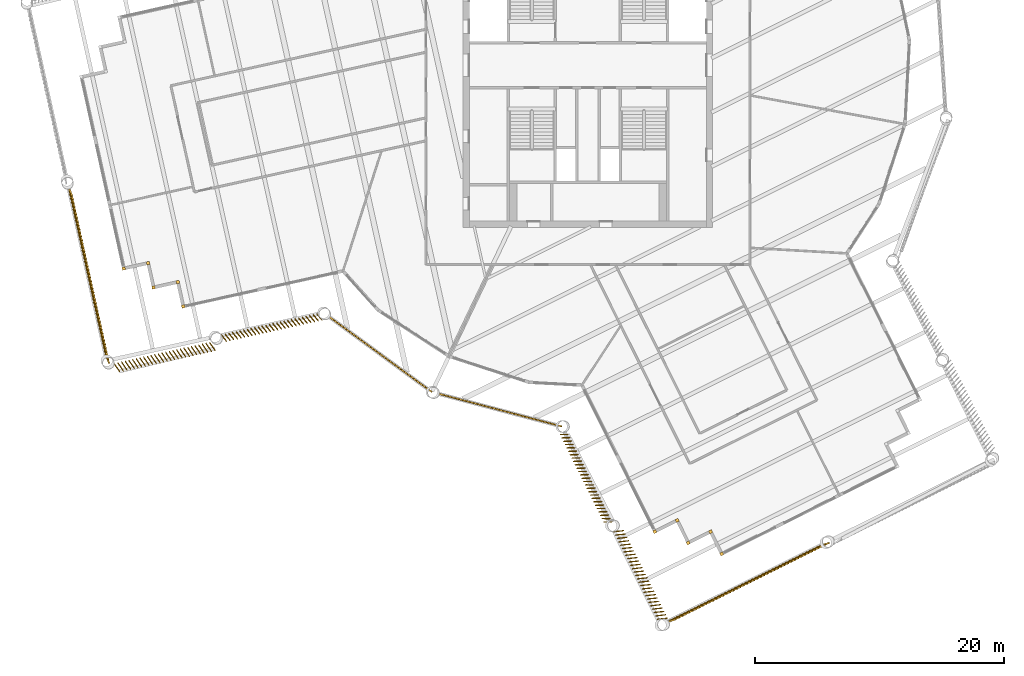
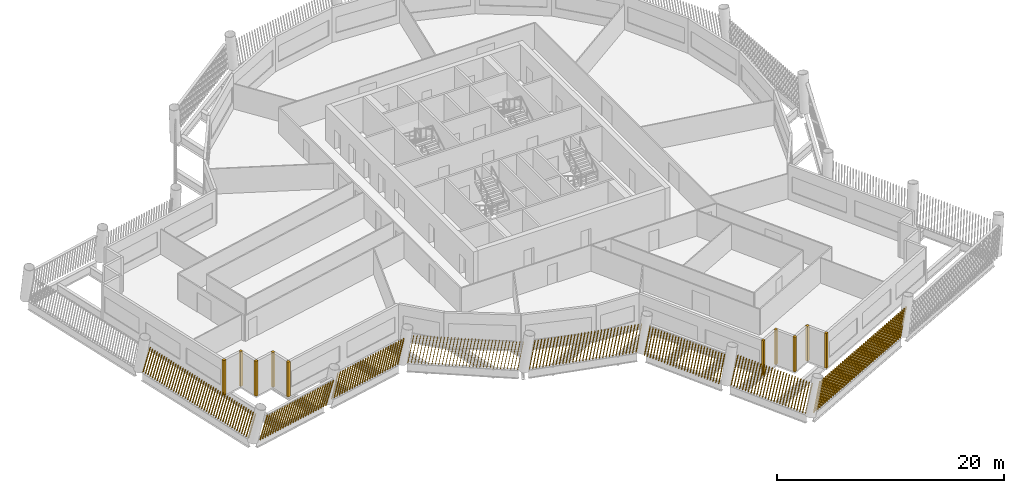
# One storey, part 10 of 14: 18 shading devices.
"""IFC4 building model written with IfcOpenShell, lengths in metres."""

from ifc_helpers import new_model, si_unit, direction, frame, frame_2d, origin, origin_2d, place, context, subcontext, project, spatial, rectangle, composite_profile, extrude, material, type_object, element, save


model = new_model("IFC4")

# Units and contexts
model_context = context("Model", 3, precision=1e-05, world=origin(), true_north=direction((0.0, 1.0)))
body_context = subcontext(model_context, "Body", "Model", "MODEL_VIEW")
ifc_project = project(units=[si_unit("LENGTHUNIT", "METRE"), si_unit("AREAUNIT", "SQUARE_METRE"), si_unit("VOLUMEUNIT", "CUBIC_METRE"), si_unit("PLANEANGLEUNIT", "RADIAN"), si_unit("MASSUNIT", "GRAM", prefix="KILO")], contexts=[model_context])

# Site, building, storey
site_placement = place(None, origin())
site = spatial("IfcSite", under=ifc_project, at=site_placement, CompositionType="ELEMENT")
building_placement = place(site_placement, origin())
building = spatial("IfcBuilding", under=site, at=building_placement, Name="Tarsis Ring Headquarters", CompositionType="ELEMENT")
storey_placement = place(building_placement, frame((0.0, 0.0, 335.300048828125)))
storey = spatial("IfcBuildingStorey", under=building, at=storey_placement, Name="L79", CompositionType="ELEMENT", Elevation=335.300048828125)

# Shading devices
ifc_material = material(Name="Terracotta baguette", Category="masonry")
shading_device_type_1 = type_object("IfcShadingDeviceType", Name="Terracotta baguette screen", PredefinedType="USERDEFINED", material=ifc_material)
shading_device_1_placement = place(storey_placement, frame((-12.031494140625, -26.342529296875, 0.0), z_axis=(0.0, 0.0, 1.0), x_axis=(0.966670830731, -0.256014990631, 0.0)))
element("IfcShadingDevice", 1, at=shading_device_1_placement, inside=storey, type_object=shading_device_type_1, Name="Baguette screen L79-00", ObjectType="Terracotta baguette screen", PredefinedType="USERDEFINED", context=body_context, shape_type="SweptSolid", body=[
    extrude(composite_profile([rectangle(XDim=0.06005859375, YDim=0.1201171875, at=frame_2d((0.030029296875, 0.0))), rectangle(XDim=0.06005859375, YDim=0.1201171875, at=frame_2d((0.33349609375, 0.0))), rectangle(XDim=0.06005859375, YDim=0.1201171875, at=frame_2d((0.636962890625, 0.0))), rectangle(XDim=0.06005859375, YDim=0.1201171875, at=frame_2d((0.9404296875, 0.0))), rectangle(XDim=0.06005859375, YDim=0.1201171875, at=frame_2d((1.243896484375, 0.0))), rectangle(XDim=0.06005859375, YDim=0.1201171875, at=frame_2d((1.54736328125, 0.0))), rectangle(XDim=0.06005859375, YDim=0.1201171875, at=frame_2d((1.85107421875, 0.0))), rectangle(XDim=0.06005859375, YDim=0.1201171875, at=frame_2d((2.154541015625, 0.0))), rectangle(XDim=0.06005859375, YDim=0.1201171875, at=frame_2d((2.4580078125, 0.0))), rectangle(XDim=0.06005859375, YDim=0.1201171875, at=frame_2d((2.761474609375, 0.0))), rectangle(XDim=0.06005859375, YDim=0.1201171875, at=frame_2d((3.06494140625, 0.0))), rectangle(XDim=0.06005859375, YDim=0.1201171875, at=frame_2d((3.368408203125, 0.0))), rectangle(XDim=0.06005859375, YDim=0.1201171875, at=frame_2d((3.671875, 0.0))), rectangle(XDim=0.06005859375, YDim=0.1201171875, at=frame_2d((3.975341796875, 0.0))), rectangle(XDim=0.06005859375, YDim=0.1201171875, at=frame_2d((4.27880859375, 0.0))), rectangle(XDim=0.06005859375, YDim=0.1201171875, at=frame_2d((4.582275390625, 0.0))), rectangle(XDim=0.06005859375, YDim=0.1201171875, at=frame_2d((4.8857421875, 0.0))), rectangle(XDim=0.06005859375, YDim=0.1201171875, at=frame_2d((5.189453125, 0.0))), rectangle(XDim=0.06005859375, YDim=0.1201171875, at=frame_2d((5.492919921875, 0.0))), rectangle(XDim=0.06005859375, YDim=0.1201171875, at=frame_2d((5.79638671875, 0.0))), rectangle(XDim=0.06005859375, YDim=0.1201171875, at=frame_2d((6.099853515625, 0.0))), rectangle(XDim=0.06005859375, YDim=0.1201171875, at=frame_2d((6.4033203125, 0.0))), rectangle(XDim=0.06005859375, YDim=0.1201171875, at=frame_2d((6.706787109375, 0.0))), rectangle(XDim=0.06005859375, YDim=0.1201171875, at=frame_2d((7.01025390625, 0.0))), rectangle(XDim=0.06005859375, YDim=0.1201171875, at=frame_2d((7.313720703125, 0.0))), rectangle(XDim=0.06005859375, YDim=0.1201171875, at=frame_2d((7.6171875, 0.0))), rectangle(XDim=0.06005859375, YDim=0.1201171875, at=frame_2d((7.920654296875, 0.0))), rectangle(XDim=0.06005859375, YDim=0.1201171875, at=frame_2d((8.224365234375, 0.0))), rectangle(XDim=0.06005859375, YDim=0.1201171875, at=frame_2d((8.52783203125, 0.0))), rectangle(XDim=0.06005859375, YDim=0.1201171875, at=frame_2d((8.831298828125, 0.0))), rectangle(XDim=0.06005859375, YDim=0.1201171875, at=frame_2d((9.134765625, 0.0))), rectangle(XDim=0.06005859375, YDim=0.1201171875, at=frame_2d((9.438232421875, 0.0))), rectangle(XDim=0.06005859375, YDim=0.1201171875, at=frame_2d((9.74169921875, 0.0)))]), origin(), (0.171974239166, 0.001556835752, 0.985100216895), 3.0126953125),
])
shading_device_2_placement = place(storey_placement, frame((-2.21484375, -29.587158203125, 0.0), z_axis=(0.0, 0.0, 1.0), x_axis=(0.445872466634, -0.895081562037, 0.0)))
element("IfcShadingDevice", 2, at=shading_device_2_placement, inside=storey, type_object=shading_device_type_1, Name="Baguette screen L79-01", ObjectType="Terracotta baguette screen", PredefinedType="USERDEFINED", context=body_context, shape_type="SweptSolid", body=[
    extrude(composite_profile([rectangle(XDim=0.06005859375, YDim=0.1201171875, at=frame_2d((0.030029296875, 0.0))), rectangle(XDim=0.06005859375, YDim=0.1201171875, at=frame_2d((0.33154296875, 0.0))), rectangle(XDim=0.06005859375, YDim=0.1201171875, at=frame_2d((0.63330078125, 0.0))), rectangle(XDim=0.06005859375, YDim=0.1201171875, at=frame_2d((0.934814453125, 0.0))), rectangle(XDim=0.06005859375, YDim=0.1201171875, at=frame_2d((1.236572265625, 0.0))), rectangle(XDim=0.06005859375, YDim=0.1201171875, at=frame_2d((1.5380859375, 0.0))), rectangle(XDim=0.06005859375, YDim=0.1201171875, at=frame_2d((1.83984375, 0.0))), rectangle(XDim=0.06005859375, YDim=0.1201171875, at=frame_2d((2.141357421875, 0.0))), rectangle(XDim=0.06005859375, YDim=0.1201171875, at=frame_2d((2.443115234375, 0.0))), rectangle(XDim=0.06005859375, YDim=0.1201171875, at=frame_2d((2.74462890625, 0.0))), rectangle(XDim=0.06005859375, YDim=0.1201171875, at=frame_2d((3.04638671875, 0.0))), rectangle(XDim=0.06005859375, YDim=0.1201171875, at=frame_2d((3.347900390625, 0.0))), rectangle(XDim=0.06005859375, YDim=0.1201171875, at=frame_2d((3.649658203125, 0.0))), rectangle(XDim=0.06005859375, YDim=0.1201171875, at=frame_2d((3.951171875, 0.0))), rectangle(XDim=0.06005859375, YDim=0.1201171875, at=frame_2d((4.252685546875, 0.0))), rectangle(XDim=0.06005859375, YDim=0.1201171875, at=frame_2d((4.554443359375, 0.0))), rectangle(XDim=0.06005859375, YDim=0.1201171875, at=frame_2d((4.85595703125, 0.0))), rectangle(XDim=0.06005859375, YDim=0.1201171875, at=frame_2d((5.15771484375, 0.0))), rectangle(XDim=0.06005859375, YDim=0.1201171875, at=frame_2d((5.459228515625, 0.0))), rectangle(XDim=0.06005859375, YDim=0.1201171875, at=frame_2d((5.760986328125, 0.0))), rectangle(XDim=0.06005859375, YDim=0.1201171875, at=frame_2d((6.0625, 0.0))), rectangle(XDim=0.06005859375, YDim=0.1201171875, at=frame_2d((6.3642578125, 0.0))), rectangle(XDim=0.06005859375, YDim=0.1201171875, at=frame_2d((6.665771484375, 0.0))), rectangle(XDim=0.06005859375, YDim=0.1201171875, at=frame_2d((6.967529296875, 0.0))), rectangle(XDim=0.06005859375, YDim=0.1201171875, at=frame_2d((7.26904296875, 0.0))), rectangle(XDim=0.06005859375, YDim=0.1201171875, at=frame_2d((7.57080078125, 0.0))), rectangle(XDim=0.06005859375, YDim=0.1201171875, at=frame_2d((7.872314453125, 0.0)))]), origin(), (0.089355361156, 0.17732854872, 0.980086835562), 3.028076171875),
])
shading_device_3_placement = place(storey_placement, frame((2.090087890625, -37.38818359375, 0.0), z_axis=(0.0, 0.0, 1.0), x_axis=(0.445872466634, -0.895081562037, 0.0)))
element("IfcShadingDevice", 3, at=shading_device_3_placement, inside=storey, type_object=shading_device_type_1, Name="Baguette screen L79-02", ObjectType="Terracotta baguette screen", PredefinedType="USERDEFINED", context=body_context, shape_type="SweptSolid", body=[
    extrude(composite_profile([rectangle(XDim=0.06005859375, YDim=0.1201171875, at=frame_2d((0.030029296875, 0.0))), rectangle(XDim=0.06005859375, YDim=0.1201171875, at=frame_2d((0.33154296875, 0.0))), rectangle(XDim=0.06005859375, YDim=0.1201171875, at=frame_2d((0.63330078125, 0.0))), rectangle(XDim=0.06005859375, YDim=0.1201171875, at=frame_2d((0.934814453125, 0.0))), rectangle(XDim=0.06005859375, YDim=0.1201171875, at=frame_2d((1.236572265625, 0.0))), rectangle(XDim=0.06005859375, YDim=0.1201171875, at=frame_2d((1.5380859375, 0.0))), rectangle(XDim=0.06005859375, YDim=0.1201171875, at=frame_2d((1.83984375, 0.0))), rectangle(XDim=0.06005859375, YDim=0.1201171875, at=frame_2d((2.141357421875, 0.0))), rectangle(XDim=0.06005859375, YDim=0.1201171875, at=frame_2d((2.443115234375, 0.0))), rectangle(XDim=0.06005859375, YDim=0.1201171875, at=frame_2d((2.74462890625, 0.0))), rectangle(XDim=0.06005859375, YDim=0.1201171875, at=frame_2d((3.04638671875, 0.0))), rectangle(XDim=0.06005859375, YDim=0.1201171875, at=frame_2d((3.347900390625, 0.0))), rectangle(XDim=0.06005859375, YDim=0.1201171875, at=frame_2d((3.649658203125, 0.0))), rectangle(XDim=0.06005859375, YDim=0.1201171875, at=frame_2d((3.951171875, 0.0))), rectangle(XDim=0.06005859375, YDim=0.1201171875, at=frame_2d((4.252685546875, 0.0))), rectangle(XDim=0.06005859375, YDim=0.1201171875, at=frame_2d((4.554443359375, 0.0))), rectangle(XDim=0.06005859375, YDim=0.1201171875, at=frame_2d((4.85595703125, 0.0))), rectangle(XDim=0.06005859375, YDim=0.1201171875, at=frame_2d((5.15771484375, 0.0))), rectangle(XDim=0.06005859375, YDim=0.1201171875, at=frame_2d((5.459228515625, 0.0))), rectangle(XDim=0.06005859375, YDim=0.1201171875, at=frame_2d((5.760986328125, 0.0))), rectangle(XDim=0.06005859375, YDim=0.1201171875, at=frame_2d((6.0625, 0.0))), rectangle(XDim=0.06005859375, YDim=0.1201171875, at=frame_2d((6.3642578125, 0.0))), rectangle(XDim=0.06005859375, YDim=0.1201171875, at=frame_2d((6.665771484375, 0.0))), rectangle(XDim=0.06005859375, YDim=0.1201171875, at=frame_2d((6.967529296875, 0.0))), rectangle(XDim=0.06005859375, YDim=0.1201171875, at=frame_2d((7.26904296875, 0.0))), rectangle(XDim=0.06005859375, YDim=0.1201171875, at=frame_2d((7.57080078125, 0.0))), rectangle(XDim=0.06005859375, YDim=0.1201171875, at=frame_2d((7.872314453125, 0.0)))]), origin(), (0.085715732696, 0.228251862761, 0.969821581692), 3.06005859375),
])
shading_device_4_placement = place(storey_placement, frame((6.2841796875, -44.68603515625, 0.0), z_axis=(0.0, 0.0, 1.0), x_axis=(0.895088811832, 0.445899087113, 0.0)))
element("IfcShadingDevice", 4, at=shading_device_4_placement, inside=storey, type_object=shading_device_type_1, Name="Baguette screen L79-03", ObjectType="Terracotta baguette screen", PredefinedType="USERDEFINED", context=body_context, shape_type="SweptSolid", body=[
    extrude(composite_profile([rectangle(XDim=0.06005859375, YDim=0.1201171875, at=frame_2d((0.030029296875, 0.0))), rectangle(XDim=0.06005859375, YDim=0.1201171875, at=frame_2d((0.33544921875, 0.0))), rectangle(XDim=0.06005859375, YDim=0.1201171875, at=frame_2d((0.640625, 0.0))), rectangle(XDim=0.06005859375, YDim=0.1201171875, at=frame_2d((0.946044921875, 0.0))), rectangle(XDim=0.06005859375, YDim=0.1201171875, at=frame_2d((1.25146484375, 0.0))), rectangle(XDim=0.06005859375, YDim=0.1201171875, at=frame_2d((1.556640625, 0.0))), rectangle(XDim=0.06005859375, YDim=0.1201171875, at=frame_2d((1.862060546875, 0.0))), rectangle(XDim=0.06005859375, YDim=0.1201171875, at=frame_2d((2.16748046875, 0.0))), rectangle(XDim=0.06005859375, YDim=0.1201171875, at=frame_2d((2.47265625, 0.0))), rectangle(XDim=0.06005859375, YDim=0.1201171875, at=frame_2d((2.778076171875, 0.0))), rectangle(XDim=0.06005859375, YDim=0.1201171875, at=frame_2d((3.08349609375, 0.0))), rectangle(XDim=0.06005859375, YDim=0.1201171875, at=frame_2d((3.388671875, 0.0))), rectangle(XDim=0.06005859375, YDim=0.1201171875, at=frame_2d((3.694091796875, 0.0))), rectangle(XDim=0.06005859375, YDim=0.1201171875, at=frame_2d((3.99951171875, 0.0))), rectangle(XDim=0.06005859375, YDim=0.1201171875, at=frame_2d((4.3046875, 0.0))), rectangle(XDim=0.06005859375, YDim=0.1201171875, at=frame_2d((4.610107421875, 0.0))), rectangle(XDim=0.06005859375, YDim=0.1201171875, at=frame_2d((4.91552734375, 0.0))), rectangle(XDim=0.06005859375, YDim=0.1201171875, at=frame_2d((5.220703125, 0.0))), rectangle(XDim=0.06005859375, YDim=0.1201171875, at=frame_2d((5.526123046875, 0.0))), rectangle(XDim=0.06005859375, YDim=0.1201171875, at=frame_2d((5.83154296875, 0.0))), rectangle(XDim=0.06005859375, YDim=0.1201171875, at=frame_2d((6.13671875, 0.0))), rectangle(XDim=0.06005859375, YDim=0.1201171875, at=frame_2d((6.442138671875, 0.0))), rectangle(XDim=0.06005859375, YDim=0.1201171875, at=frame_2d((6.74755859375, 0.0))), rectangle(XDim=0.06005859375, YDim=0.1201171875, at=frame_2d((7.052734375, 0.0))), rectangle(XDim=0.06005859375, YDim=0.1201171875, at=frame_2d((7.358154296875, 0.0))), rectangle(XDim=0.06005859375, YDim=0.1201171875, at=frame_2d((7.66357421875, 0.0))), rectangle(XDim=0.06005859375, YDim=0.1201171875, at=frame_2d((7.96875, 0.0))), rectangle(XDim=0.06005859375, YDim=0.1201171875, at=frame_2d((8.274169921875, 0.0))), rectangle(XDim=0.06005859375, YDim=0.1201171875, at=frame_2d((8.57958984375, 0.0))), rectangle(XDim=0.06005859375, YDim=0.1201171875, at=frame_2d((8.884765625, 0.0))), rectangle(XDim=0.06005859375, YDim=0.1201171875, at=frame_2d((9.190185546875, 0.0))), rectangle(XDim=0.06005859375, YDim=0.1201171875, at=frame_2d((9.49560546875, 0.0))), rectangle(XDim=0.06005859375, YDim=0.1201171875, at=frame_2d((9.80078125, 0.0))), rectangle(XDim=0.06005859375, YDim=0.1201171875, at=frame_2d((10.106201171875, 0.0))), rectangle(XDim=0.06005859375, YDim=0.1201171875, at=frame_2d((10.41162109375, 0.0))), rectangle(XDim=0.06005859375, YDim=0.1201171875, at=frame_2d((10.716796875, 0.0))), rectangle(XDim=0.06005859375, YDim=0.1201171875, at=frame_2d((11.022216796875, 0.0))), rectangle(XDim=0.06005859375, YDim=0.1201171875, at=frame_2d((11.32763671875, 0.0))), rectangle(XDim=0.06005859375, YDim=0.1201171875, at=frame_2d((11.6328125, 0.0))), rectangle(XDim=0.06005859375, YDim=0.1201171875, at=frame_2d((11.938232421875, 0.0))), rectangle(XDim=0.06005859375, YDim=0.1201171875, at=frame_2d((12.24365234375, 0.0))), rectangle(XDim=0.06005859375, YDim=0.1201171875, at=frame_2d((12.548828125, 0.0))), rectangle(XDim=0.06005859375, YDim=0.1201171875, at=frame_2d((12.854248046875, 0.0))), rectangle(XDim=0.06005859375, YDim=0.1201171875, at=frame_2d((13.15966796875, 0.0))), rectangle(XDim=0.06005859375, YDim=0.1201171875, at=frame_2d((13.46484375, 0.0))), rectangle(XDim=0.06005859375, YDim=0.1201171875, at=frame_2d((13.770263671875, 0.0)))]), origin(), (0.253381112819, -0.041447482127, 0.966478203527), 3.07080078125),
])
shading_device_5_placement = place(storey_placement, frame((-41.6806640625, -9.7373046875, 0.0), z_axis=(0.0, 0.0, 1.0), x_axis=(0.216099071207, -0.976364440513, 0.0)))
element("IfcShadingDevice", 5, at=shading_device_5_placement, inside=storey, type_object=shading_device_type_1, Name="Baguette screen L79-18", ObjectType="Terracotta baguette screen", PredefinedType="USERDEFINED", context=body_context, shape_type="SweptSolid", body=[
    extrude(composite_profile([rectangle(XDim=0.06005859375, YDim=0.1201171875, at=frame_2d((0.030029296875, 0.0))), rectangle(XDim=0.06005859375, YDim=0.1201171875, at=frame_2d((0.33544921875, 0.0))), rectangle(XDim=0.06005859375, YDim=0.1201171875, at=frame_2d((0.640625, 0.0))), rectangle(XDim=0.06005859375, YDim=0.1201171875, at=frame_2d((0.946044921875, 0.0))), rectangle(XDim=0.06005859375, YDim=0.1201171875, at=frame_2d((1.25146484375, 0.0))), rectangle(XDim=0.06005859375, YDim=0.1201171875, at=frame_2d((1.556640625, 0.0))), rectangle(XDim=0.06005859375, YDim=0.1201171875, at=frame_2d((1.862060546875, 0.0))), rectangle(XDim=0.06005859375, YDim=0.1201171875, at=frame_2d((2.16748046875, 0.0))), rectangle(XDim=0.06005859375, YDim=0.1201171875, at=frame_2d((2.47265625, 0.0))), rectangle(XDim=0.06005859375, YDim=0.1201171875, at=frame_2d((2.778076171875, 0.0))), rectangle(XDim=0.06005859375, YDim=0.1201171875, at=frame_2d((3.08349609375, 0.0))), rectangle(XDim=0.06005859375, YDim=0.1201171875, at=frame_2d((3.388671875, 0.0))), rectangle(XDim=0.06005859375, YDim=0.1201171875, at=frame_2d((3.694091796875, 0.0))), rectangle(XDim=0.06005859375, YDim=0.1201171875, at=frame_2d((3.99951171875, 0.0))), rectangle(XDim=0.06005859375, YDim=0.1201171875, at=frame_2d((4.3046875, 0.0))), rectangle(XDim=0.06005859375, YDim=0.1201171875, at=frame_2d((4.610107421875, 0.0))), rectangle(XDim=0.06005859375, YDim=0.1201171875, at=frame_2d((4.91552734375, 0.0))), rectangle(XDim=0.06005859375, YDim=0.1201171875, at=frame_2d((5.220703125, 0.0))), rectangle(XDim=0.06005859375, YDim=0.1201171875, at=frame_2d((5.526123046875, 0.0))), rectangle(XDim=0.06005859375, YDim=0.1201171875, at=frame_2d((5.83154296875, 0.0))), rectangle(XDim=0.06005859375, YDim=0.1201171875, at=frame_2d((6.13671875, 0.0))), rectangle(XDim=0.06005859375, YDim=0.1201171875, at=frame_2d((6.442138671875, 0.0))), rectangle(XDim=0.06005859375, YDim=0.1201171875, at=frame_2d((6.74755859375, 0.0))), rectangle(XDim=0.06005859375, YDim=0.1201171875, at=frame_2d((7.052734375, 0.0))), rectangle(XDim=0.06005859375, YDim=0.1201171875, at=frame_2d((7.358154296875, 0.0))), rectangle(XDim=0.06005859375, YDim=0.1201171875, at=frame_2d((7.66357421875, 0.0))), rectangle(XDim=0.06005859375, YDim=0.1201171875, at=frame_2d((7.96875, 0.0))), rectangle(XDim=0.06005859375, YDim=0.1201171875, at=frame_2d((8.274169921875, 0.0))), rectangle(XDim=0.06005859375, YDim=0.1201171875, at=frame_2d((8.57958984375, 0.0))), rectangle(XDim=0.06005859375, YDim=0.1201171875, at=frame_2d((8.884765625, 0.0))), rectangle(XDim=0.06005859375, YDim=0.1201171875, at=frame_2d((9.190185546875, 0.0))), rectangle(XDim=0.06005859375, YDim=0.1201171875, at=frame_2d((9.49560546875, 0.0))), rectangle(XDim=0.06005859375, YDim=0.1201171875, at=frame_2d((9.80078125, 0.0))), rectangle(XDim=0.06005859375, YDim=0.1201171875, at=frame_2d((10.106201171875, 0.0))), rectangle(XDim=0.06005859375, YDim=0.1201171875, at=frame_2d((10.41162109375, 0.0))), rectangle(XDim=0.06005859375, YDim=0.1201171875, at=frame_2d((10.716796875, 0.0))), rectangle(XDim=0.06005859375, YDim=0.1201171875, at=frame_2d((11.022216796875, 0.0))), rectangle(XDim=0.06005859375, YDim=0.1201171875, at=frame_2d((11.32763671875, 0.0))), rectangle(XDim=0.06005859375, YDim=0.1201171875, at=frame_2d((11.6328125, 0.0))), rectangle(XDim=0.06005859375, YDim=0.1201171875, at=frame_2d((11.938232421875, 0.0))), rectangle(XDim=0.06005859375, YDim=0.1201171875, at=frame_2d((12.24365234375, 0.0))), rectangle(XDim=0.06005859375, YDim=0.1201171875, at=frame_2d((12.548828125, 0.0))), rectangle(XDim=0.06005859375, YDim=0.1201171875, at=frame_2d((12.854248046875, 0.0))), rectangle(XDim=0.06005859375, YDim=0.1201171875, at=frame_2d((13.15966796875, 0.0))), rectangle(XDim=0.06005859375, YDim=0.1201171875, at=frame_2d((13.46484375, 0.0))), rectangle(XDim=0.06005859375, YDim=0.1201171875, at=frame_2d((13.770263671875, 0.0)))]), origin(), (0.252584924979, 0.046035482913, 0.966478965103), 3.07080078125),
])
shading_device_6_placement = place(storey_placement, frame((-38.021240234375, -23.95751953125, 0.0), z_axis=(0.0, 0.0, 1.0), x_axis=(0.976365546218, 0.216108502224, 0.0)))
element("IfcShadingDevice", 6, at=shading_device_6_placement, inside=storey, type_object=shading_device_type_1, Name="Baguette screen L79-19", ObjectType="Terracotta baguette screen", PredefinedType="USERDEFINED", context=body_context, shape_type="SweptSolid", body=[
    extrude(composite_profile([rectangle(XDim=0.06005859375, YDim=0.1201171875, at=frame_2d((0.030029296875, 0.0))), rectangle(XDim=0.06005859375, YDim=0.1201171875, at=frame_2d((0.33154296875, 0.0))), rectangle(XDim=0.06005859375, YDim=0.1201171875, at=frame_2d((0.63330078125, 0.0))), rectangle(XDim=0.06005859375, YDim=0.1201171875, at=frame_2d((0.934814453125, 0.0))), rectangle(XDim=0.06005859375, YDim=0.1201171875, at=frame_2d((1.236572265625, 0.0))), rectangle(XDim=0.06005859375, YDim=0.1201171875, at=frame_2d((1.5380859375, 0.0))), rectangle(XDim=0.06005859375, YDim=0.1201171875, at=frame_2d((1.83984375, 0.0))), rectangle(XDim=0.06005859375, YDim=0.1201171875, at=frame_2d((2.141357421875, 0.0))), rectangle(XDim=0.06005859375, YDim=0.1201171875, at=frame_2d((2.443115234375, 0.0))), rectangle(XDim=0.06005859375, YDim=0.1201171875, at=frame_2d((2.74462890625, 0.0))), rectangle(XDim=0.06005859375, YDim=0.1201171875, at=frame_2d((3.04638671875, 0.0))), rectangle(XDim=0.06005859375, YDim=0.1201171875, at=frame_2d((3.347900390625, 0.0))), rectangle(XDim=0.06005859375, YDim=0.1201171875, at=frame_2d((3.649658203125, 0.0))), rectangle(XDim=0.06005859375, YDim=0.1201171875, at=frame_2d((3.951171875, 0.0))), rectangle(XDim=0.06005859375, YDim=0.1201171875, at=frame_2d((4.252685546875, 0.0))), rectangle(XDim=0.06005859375, YDim=0.1201171875, at=frame_2d((4.554443359375, 0.0))), rectangle(XDim=0.06005859375, YDim=0.1201171875, at=frame_2d((4.85595703125, 0.0))), rectangle(XDim=0.06005859375, YDim=0.1201171875, at=frame_2d((5.15771484375, 0.0))), rectangle(XDim=0.06005859375, YDim=0.1201171875, at=frame_2d((5.459228515625, 0.0))), rectangle(XDim=0.06005859375, YDim=0.1201171875, at=frame_2d((5.760986328125, 0.0))), rectangle(XDim=0.06005859375, YDim=0.1201171875, at=frame_2d((6.0625, 0.0))), rectangle(XDim=0.06005859375, YDim=0.1201171875, at=frame_2d((6.3642578125, 0.0))), rectangle(XDim=0.06005859375, YDim=0.1201171875, at=frame_2d((6.665771484375, 0.0))), rectangle(XDim=0.06005859375, YDim=0.1201171875, at=frame_2d((6.967529296875, 0.0))), rectangle(XDim=0.06005859375, YDim=0.1201171875, at=frame_2d((7.26904296875, 0.0))), rectangle(XDim=0.06005859375, YDim=0.1201171875, at=frame_2d((7.57080078125, 0.0))), rectangle(XDim=0.06005859375, YDim=0.1201171875, at=frame_2d((7.872314453125, 0.0)))]), origin(), (0.092050541196, -0.22659590735, 0.969629306817), 3.060791015625),
])
shading_device_7_placement = place(storey_placement, frame((-29.410400390625, -21.66748046875, 0.0), z_axis=(0.0, 0.0, 1.0), x_axis=(0.976365546218, 0.216077607514, 0.0)))
element("IfcShadingDevice", 7, at=shading_device_7_placement, inside=storey, type_object=shading_device_type_1, Name="Baguette screen L79-20", ObjectType="Terracotta baguette screen", PredefinedType="USERDEFINED", context=body_context, shape_type="SweptSolid", body=[
    extrude(composite_profile([rectangle(XDim=0.06005859375, YDim=0.1201171875, at=frame_2d((0.030029296875, 0.0))), rectangle(XDim=0.06005859375, YDim=0.1201171875, at=frame_2d((0.33154296875, 0.0))), rectangle(XDim=0.06005859375, YDim=0.1201171875, at=frame_2d((0.63330078125, 0.0))), rectangle(XDim=0.06005859375, YDim=0.1201171875, at=frame_2d((0.934814453125, 0.0))), rectangle(XDim=0.06005859375, YDim=0.1201171875, at=frame_2d((1.236572265625, 0.0))), rectangle(XDim=0.06005859375, YDim=0.1201171875, at=frame_2d((1.5380859375, 0.0))), rectangle(XDim=0.06005859375, YDim=0.1201171875, at=frame_2d((1.83984375, 0.0))), rectangle(XDim=0.06005859375, YDim=0.1201171875, at=frame_2d((2.141357421875, 0.0))), rectangle(XDim=0.06005859375, YDim=0.1201171875, at=frame_2d((2.443115234375, 0.0))), rectangle(XDim=0.06005859375, YDim=0.1201171875, at=frame_2d((2.74462890625, 0.0))), rectangle(XDim=0.06005859375, YDim=0.1201171875, at=frame_2d((3.04638671875, 0.0))), rectangle(XDim=0.06005859375, YDim=0.1201171875, at=frame_2d((3.347900390625, 0.0))), rectangle(XDim=0.06005859375, YDim=0.1201171875, at=frame_2d((3.649658203125, 0.0))), rectangle(XDim=0.06005859375, YDim=0.1201171875, at=frame_2d((3.951171875, 0.0))), rectangle(XDim=0.06005859375, YDim=0.1201171875, at=frame_2d((4.252685546875, 0.0))), rectangle(XDim=0.06005859375, YDim=0.1201171875, at=frame_2d((4.554443359375, 0.0))), rectangle(XDim=0.06005859375, YDim=0.1201171875, at=frame_2d((4.85595703125, 0.0))), rectangle(XDim=0.06005859375, YDim=0.1201171875, at=frame_2d((5.15771484375, 0.0))), rectangle(XDim=0.06005859375, YDim=0.1201171875, at=frame_2d((5.459228515625, 0.0))), rectangle(XDim=0.06005859375, YDim=0.1201171875, at=frame_2d((5.760986328125, 0.0))), rectangle(XDim=0.06005859375, YDim=0.1201171875, at=frame_2d((6.0625, 0.0))), rectangle(XDim=0.06005859375, YDim=0.1201171875, at=frame_2d((6.3642578125, 0.0))), rectangle(XDim=0.06005859375, YDim=0.1201171875, at=frame_2d((6.665771484375, 0.0))), rectangle(XDim=0.06005859375, YDim=0.1201171875, at=frame_2d((6.967529296875, 0.0))), rectangle(XDim=0.06005859375, YDim=0.1201171875, at=frame_2d((7.26904296875, 0.0))), rectangle(XDim=0.06005859375, YDim=0.1201171875, at=frame_2d((7.57080078125, 0.0))), rectangle(XDim=0.06005859375, YDim=0.1201171875, at=frame_2d((7.872314453125, 0.0)))]), origin(), (0.090334467807, -0.175731502911, 0.980284715178), 3.02734375),
])
shading_device_8_placement = place(storey_placement, frame((-20.80322265625, -20.147216796875, 0.0), z_axis=(0.0, 0.0, 1.0), x_axis=(0.806920674578, -0.5906558401, 0.0)))
element("IfcShadingDevice", 8, at=shading_device_8_placement, inside=storey, type_object=shading_device_type_1, Name="Baguette screen L79-21", ObjectType="Terracotta baguette screen", PredefinedType="USERDEFINED", context=body_context, shape_type="SweptSolid", body=[
    extrude(composite_profile([rectangle(XDim=0.06005859375, YDim=0.1201171875, at=frame_2d((0.030029296875, 0.0))), rectangle(XDim=0.06005859375, YDim=0.1201171875, at=frame_2d((0.33349609375, 0.0))), rectangle(XDim=0.06005859375, YDim=0.1201171875, at=frame_2d((0.636962890625, 0.0))), rectangle(XDim=0.06005859375, YDim=0.1201171875, at=frame_2d((0.9404296875, 0.0))), rectangle(XDim=0.06005859375, YDim=0.1201171875, at=frame_2d((1.243896484375, 0.0))), rectangle(XDim=0.06005859375, YDim=0.1201171875, at=frame_2d((1.54736328125, 0.0))), rectangle(XDim=0.06005859375, YDim=0.1201171875, at=frame_2d((1.85107421875, 0.0))), rectangle(XDim=0.06005859375, YDim=0.1201171875, at=frame_2d((2.154541015625, 0.0))), rectangle(XDim=0.06005859375, YDim=0.1201171875, at=frame_2d((2.4580078125, 0.0))), rectangle(XDim=0.06005859375, YDim=0.1201171875, at=frame_2d((2.761474609375, 0.0))), rectangle(XDim=0.06005859375, YDim=0.1201171875, at=frame_2d((3.06494140625, 0.0))), rectangle(XDim=0.06005859375, YDim=0.1201171875, at=frame_2d((3.368408203125, 0.0))), rectangle(XDim=0.06005859375, YDim=0.1201171875, at=frame_2d((3.671875, 0.0))), rectangle(XDim=0.06005859375, YDim=0.1201171875, at=frame_2d((3.975341796875, 0.0))), rectangle(XDim=0.06005859375, YDim=0.1201171875, at=frame_2d((4.27880859375, 0.0))), rectangle(XDim=0.06005859375, YDim=0.1201171875, at=frame_2d((4.582275390625, 0.0))), rectangle(XDim=0.06005859375, YDim=0.1201171875, at=frame_2d((4.8857421875, 0.0))), rectangle(XDim=0.06005859375, YDim=0.1201171875, at=frame_2d((5.189453125, 0.0))), rectangle(XDim=0.06005859375, YDim=0.1201171875, at=frame_2d((5.492919921875, 0.0))), rectangle(XDim=0.06005859375, YDim=0.1201171875, at=frame_2d((5.79638671875, 0.0))), rectangle(XDim=0.06005859375, YDim=0.1201171875, at=frame_2d((6.099853515625, 0.0))), rectangle(XDim=0.06005859375, YDim=0.1201171875, at=frame_2d((6.4033203125, 0.0))), rectangle(XDim=0.06005859375, YDim=0.1201171875, at=frame_2d((6.706787109375, 0.0))), rectangle(XDim=0.06005859375, YDim=0.1201171875, at=frame_2d((7.01025390625, 0.0))), rectangle(XDim=0.06005859375, YDim=0.1201171875, at=frame_2d((7.313720703125, 0.0))), rectangle(XDim=0.06005859375, YDim=0.1201171875, at=frame_2d((7.6171875, 0.0))), rectangle(XDim=0.06005859375, YDim=0.1201171875, at=frame_2d((7.920654296875, 0.0))), rectangle(XDim=0.06005859375, YDim=0.1201171875, at=frame_2d((8.224365234375, 0.0))), rectangle(XDim=0.06005859375, YDim=0.1201171875, at=frame_2d((8.52783203125, 0.0))), rectangle(XDim=0.06005859375, YDim=0.1201171875, at=frame_2d((8.831298828125, 0.0))), rectangle(XDim=0.06005859375, YDim=0.1201171875, at=frame_2d((9.134765625, 0.0))), rectangle(XDim=0.06005859375, YDim=0.1201171875, at=frame_2d((9.438232421875, 0.0))), rectangle(XDim=0.06005859375, YDim=0.1201171875, at=frame_2d((9.74169921875, 0.0)))]), origin(), (0.171974297948, 0.001556744918, 0.985100206776), 3.0126953125),
])
shading_device_type_2 = type_object("IfcShadingDeviceType", Name="Terracotta corner baguette 250x250", PredefinedType="USERDEFINED", material=ifc_material)
for number, where, z_axis, x_axis, name in (
    (9, (-32.461181640625, -19.346923828125, 0.0), (0.0, 0.0, 1.0), (0.216099098858, -0.976371435199, 0.0), "Corner baguette L79-01"),
    (10, (5.366943359375, -37.40625, 0.0), (0.0, 0.0, 1.0), (0.445885379286, -0.895090067278, 0.0), "Corner baguette L79-07"),
    (11, (7.1572265625, -36.514404296875, 0.0), (0.0, 0.0, 1.0), (0.89509000502, 0.445885504264, 0.0), "Corner baguette L79-08"),
    (12, (8.048828125, -38.3046875, 0.0), (0.0, 0.0, 1.0), (0.445885301175, -0.895090106188, 0.0), "Corner baguette L79-09"),
    (13, (9.839111328125, -37.412841796875, 0.0), (0.0, 0.0, 1.0), (0.895089903852, 0.445885707354, 0.0), "Corner baguette L79-10"),
    (14, (10.73095703125, -39.203125, 0.0), (0.0, 0.0, 1.0), (0.445885098085, -0.895090207357, 0.0), "Corner baguette L79-11"),
    (15, (-37.23095703125, -16.305908203125, 0.0), (0.0, 0.0, 1.0), (0.216098877326, -0.97637148423, 0.0), "Corner baguette L79-37"),
    (16, (-35.2783203125, -15.873779296875, 0.0), (0.0, 0.0, 1.0), (0.976371540805, 0.216098621713, 0.0), "Corner baguette L79-38"),
    (17, (-34.84619140625, -17.826416015625, 0.0), (0.0, 0.0, 1.0), (0.216098996613, -0.976371457829, 0.0), "Corner baguette L79-39"),
    (18, (-32.893310546875, -17.394287109375, 0.0), (0.0, 0.0, 1.0), (0.976371563435, 0.216098519468, 0.0), "Corner baguette L79-40"),
):
    element("IfcShadingDevice", number, at=place(storey_placement, frame(where, z_axis=z_axis, x_axis=x_axis)), inside=storey, type_object=shading_device_type_2, Name=name, ObjectType="Terracotta corner baguette", PredefinedType="USERDEFINED", context=body_context, shape_type="SweptSolid", body=[
        extrude(rectangle(XDim=0.25, YDim=0.25, at=origin_2d()), origin(), (0.0, 0.0, 1.0), 3.739990234375),
    ])

save(model, "model.ifc")
